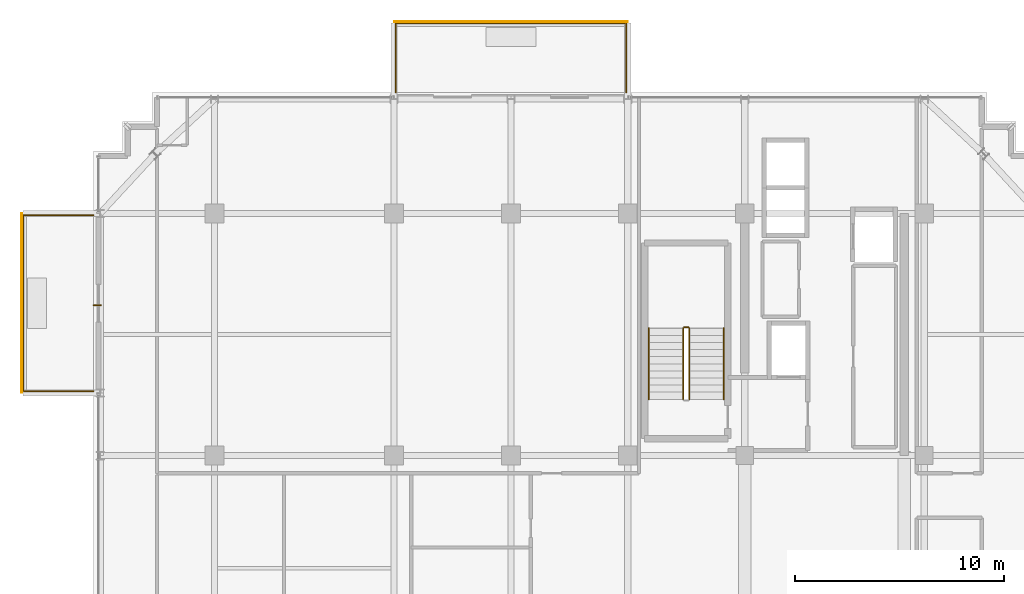
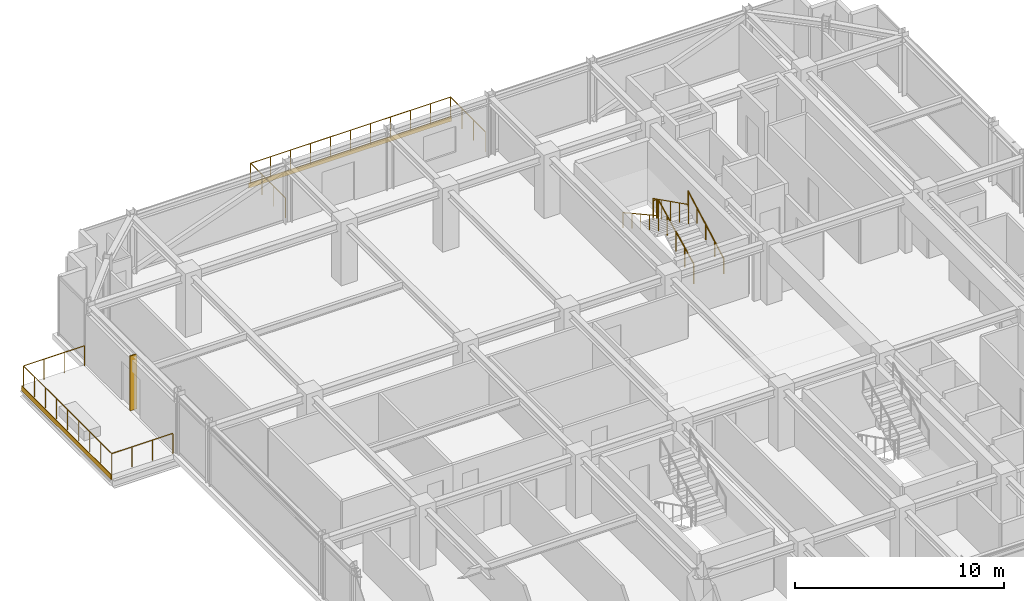
# One storey, part 35 of 36: 7 railings, 2 coverings, 1 shading device.
"""IFC4 building model written with IfcOpenShell, lengths in metres."""

import ifcopenshell
import ifcopenshell.guid

model = None  # the IFC model being written
_history = None  # IfcOwnerHistory: only IFC2X3 demands one
_inside = {}  # id of a spatial element -> (the spatial element, [elements in it])
_under = {}  # id of a project, library or spatial element -> (it, [spatial elements below it])
_declared = {}  # id of a project -> (the project, [libraries it declares])
_typed = {}  # id of a type object -> (the type object, [elements of that type])
_made_of = {}  # id of a material, layer set ... -> (it, [elements and type objects made of it])


def new_model(schema):
    """Start an empty IFC model of exactly this schema.

    Asked for "IFC4X3", IfcOpenShell would pick the latest addendum, in which some entities
    have other attributes; the version numbers below select the first issue.
    IFC2X3 requires an IfcOwnerHistory on every rooted entity: one is made here for all.
    """
    global model, _history
    if schema == "IFC4X3":
        model = ifcopenshell.file(schema_version=(4, 3, 0, 0))
    else:
        model = ifcopenshell.file(schema=schema)
    _inside.clear()
    _under.clear()
    _declared.clear()
    _typed.clear()
    _made_of.clear()
    _history = None
    if model.schema == "IFC2X3":
        org = make("IfcOrganization", Name="unknown")
        user = make(
            "IfcPersonAndOrganization",
            ThePerson=make("IfcPerson", FamilyName="unknown"),
            TheOrganization=org,
        )
        app = make(
            "IfcApplication",
            ApplicationDeveloper=org,
            Version="unknown",
            ApplicationFullName="unknown",
            ApplicationIdentifier="unknown",
        )
        _history = make(
            "IfcOwnerHistory",
            OwningUser=user,
            OwningApplication=app,
            ChangeAction="ADDED",
            CreationDate=0,
        )
    return model


def make(cls, **values):
    """One entity of the class cls with the attributes given. An attribute that is None is left unset."""
    return model.create_entity(
        cls, **{name: value for name, value in values.items() if value is not None}
    )


def rooted(cls, **values):
    """An entity with a GlobalId (a new one), such as an element, a storey or a relation."""
    return make(cls, GlobalId=ifcopenshell.guid.new(), OwnerHistory=_history, **values)


def si_unit(unit_type, name, prefix=None):
    """IfcSIUnit, for example si_unit("LENGTHUNIT", "METRE", prefix="MILLI")."""
    return make("IfcSIUnit", UnitType=unit_type, Prefix=prefix, Name=name)


def assignment(units):
    """IfcUnitAssignment: the units of a project."""
    return None if units is None else make("IfcUnitAssignment", Units=units)


def point(xyz):
    """IfcCartesianPoint."""
    return None if xyz is None else make("IfcCartesianPoint", Coordinates=xyz)


def direction(xyz):
    """IfcDirection."""
    return None if xyz is None else make("IfcDirection", DirectionRatios=xyz)


def frame(location, z_axis=None, x_axis=None):
    """IfcAxis2Placement3D, a coordinate frame: its origin and axes. An axis left out is left unset."""
    return make(
        "IfcAxis2Placement3D",
        Location=point(location),
        Axis=direction(z_axis),
        RefDirection=direction(x_axis),
    )


def frame_2d(location, x_axis=None):
    """IfcAxis2Placement2D, a coordinate frame in the plane: its origin and x axis."""
    return make(
        "IfcAxis2Placement2D", Location=point(location), RefDirection=direction(x_axis)
    )


def origin():
    """The frame at (0, 0, 0) with its axes left unset."""
    return frame((0.0, 0.0, 0.0))


def origin_2d():
    """The frame at (0, 0) in the plane with its x axis left unset."""
    return frame_2d((0.0, 0.0))


def place(relative_to, where):
    """IfcLocalPlacement: puts the frame where relative to a parent placement (None: the world)."""
    return make(
        "IfcLocalPlacement", PlacementRelTo=relative_to, RelativePlacement=where
    )


def context(
    kind, dimensions, precision=None, world=None, true_north=None, identifier=None
):
    """IfcGeometricRepresentationContext, for example the 3D "Model" context."""
    return make(
        "IfcGeometricRepresentationContext",
        ContextIdentifier=identifier,
        ContextType=kind,
        CoordinateSpaceDimension=dimensions,
        Precision=precision,
        WorldCoordinateSystem=world,
        TrueNorth=true_north,
    )


def subcontext(parent, identifier, kind, view, scale=None):
    """IfcGeometricRepresentationSubContext, for example "Body" below "Model"."""
    return make(
        "IfcGeometricRepresentationSubContext",
        ContextIdentifier=identifier,
        ContextType=kind,
        ParentContext=parent,
        TargetScale=scale,
        TargetView=view,
    )


def project(units=None, contexts=None):
    """IfcProject with its units and contexts."""
    return rooted(
        "IfcProject",
        Name="project",
        RepresentationContexts=contexts,
        UnitsInContext=assignment(units),
    )


def spatial(cls, under=None, at=None, **own):
    """A site, building, storey or space (cls), placed at a placement, below another one or the project."""
    s = rooted(cls, ObjectPlacement=at, **own)
    if under is not None:
        _under.setdefault(under.id(), (under, []))[1].append(s)
    return s


def profile(cls, at=None, kind="AREA", **sizes):
    """A parametric profile (cls). Its sizes go by their IFC names, for example OverallWidth=200.0."""
    return make(cls, ProfileType=kind, Position=at, **sizes)


def rectangle(**sizes):
    """IfcRectangleProfileDef."""
    return profile("IfcRectangleProfileDef", **sizes)


def circle(**sizes):
    """IfcCircleProfileDef."""
    return profile("IfcCircleProfileDef", **sizes)


def extrude(swept, where, along, depth):
    """IfcExtrudedAreaSolid: the profile swept, set in the frame where, extruded along a direction by depth."""
    return make(
        "IfcExtrudedAreaSolid",
        SweptArea=swept,
        Position=where,
        ExtrudedDirection=direction(along),
        Depth=depth,
    )


def shape(context_of_items, identifier, shape_type, items):
    """IfcShapeRepresentation: the items that make up one representation, for example the "Body"."""
    return make(
        "IfcShapeRepresentation",
        ContextOfItems=context_of_items,
        RepresentationIdentifier=identifier,
        RepresentationType=shape_type,
        Items=items,
    )


def source(mapping_origin, context_of_items, identifier, shape_type, items):
    """IfcRepresentationMap: a shape defined once, which mapped items show again and again."""
    return make(
        "IfcRepresentationMap",
        MappingOrigin=mapping_origin,
        MappedRepresentation=shape(context_of_items, identifier, shape_type, items),
    )


def transform(
    local_origin,
    x_axis=None,
    y_axis=None,
    z_axis=None,
    scale=None,
    scale2=None,
    scale3=None,
    uniform=True,
):
    """IfcCartesianTransformationOperator3D, or its non-uniform kind. x_axis, y_axis, z_axis: its Axis1, 2, 3."""
    if uniform:
        return make(
            "IfcCartesianTransformationOperator3D",
            Axis1=direction(x_axis),
            Axis2=direction(y_axis),
            LocalOrigin=point(local_origin),
            Scale=scale,
            Axis3=direction(z_axis),
        )
    return make(
        "IfcCartesianTransformationOperator3DnonUniform",
        Axis1=direction(x_axis),
        Axis2=direction(y_axis),
        LocalOrigin=point(local_origin),
        Scale=scale,
        Axis3=direction(z_axis),
        Scale2=scale2,
        Scale3=scale3,
    )


def mapped(mapping_source, mapping_target):
    """IfcMappedItem: shows the shape of a source again, moved by a transform."""
    return make(
        "IfcMappedItem", MappingSource=mapping_source, MappingTarget=mapping_target
    )


def material(Name=None, Category=None):
    """IfcMaterial."""
    return make("IfcMaterial", Name=Name, Category=Category)


def layer(
    of_material, thickness, ventilated=None, Name=None, Category=None, Priority=None
):
    """IfcMaterialLayer: one layer of a wall or slab, of a material (None: an air gap)."""
    return make(
        "IfcMaterialLayer",
        Material=of_material,
        LayerThickness=thickness,
        IsVentilated=ventilated,
        Name=Name,
        Category=Category,
        Priority=Priority,
    )


def layer_set(layers, Name=None):
    """IfcMaterialLayerSet."""
    return make("IfcMaterialLayerSet", MaterialLayers=layers, LayerSetName=Name)


def made_of(thing, what):
    """Note that an element or type object is made of a material, layer set ...; save() writes the relation."""
    if what is not None:
        _made_of.setdefault(what.id(), (what, []))[1].append(thing)
    return thing


def type_object(cls, material=None, **own):
    """A type object (cls), such as IfcWallType, which elements share."""
    return made_of(rooted(cls, **own), material)


def element(
    cls,
    number,
    at=None,
    inside=None,
    cuts=None,
    type_object=None,
    material=None,
    context=None,
    identifier="Body",
    shape_type=None,
    held_by="IfcProductDefinitionShape",
    body=None,
    shapes=None,
    **own,
):
    """One element of the class cls, such as IfcWall. Its Tag is "e" and its number.

    at: its placement. inside: the storey or other place that contains it. cuts: it is an
    opening in that element (IfcRelVoidsElement). A single representation is given by context,
    identifier, shape_type and body (its items); several are given by shapes. held_by: the class
    of the entity that holds the representations. save() writes the other relations.
    """
    e = rooted(cls, Tag="e%d" % number, ObjectPlacement=at, **own)
    if body is not None:
        shapes = [shape(context, identifier, shape_type, body)]
    if shapes is not None:
        e.Representation = make(held_by, Representations=shapes)
    if inside is not None:
        _inside.setdefault(inside.id(), (inside, []))[1].append(e)
    if cuts is not None:
        rooted(
            "IfcRelVoidsElement", RelatingBuildingElement=cuts, RelatedOpeningElement=e
        )
    if type_object is not None:
        _typed.setdefault(type_object.id(), (type_object, []))[1].append(e)
    return made_of(e, material)


def aggregate(whole, parts):
    """IfcRelAggregates: a whole, such as a stair, and the parts it consists of."""
    return rooted("IfcRelAggregates", RelatingObject=whole, RelatedObjects=parts)


def save(model, path):
    """Write the relations noted so far, then the file.

    IfcRelAggregates (storeys below a building ...), IfcRelContainedInSpatialStructure (elements
    in a storey), IfcRelDefinesByType, IfcRelAssociatesMaterial and IfcRelDeclares: one each for
    every whole, place, type object, material and project.
    """
    for whole, parts in _under.values():
        aggregate(whole, parts)
    for where, things in _inside.values():
        rooted(
            "IfcRelContainedInSpatialStructure",
            RelatedElements=things,
            RelatingStructure=where,
        )
    for kind, things in _typed.values():
        rooted("IfcRelDefinesByType", RelatedObjects=things, RelatingType=kind)
    for what, things in _made_of.values():
        rooted("IfcRelAssociatesMaterial", RelatedObjects=things, RelatingMaterial=what)
    for by, libraries in _declared.values():
        rooted("IfcRelDeclares", RelatingContext=by, RelatedDefinitions=libraries)
    model.write(path)


model = new_model("IFC4")

# Units and contexts
model_context = context("Model", 3, precision=1e-05, world=origin(), true_north=direction((0.0, 1.0)))
body_context = subcontext(model_context, "Body", "Model", "MODEL_VIEW")
ifc_project = project(units=[si_unit("LENGTHUNIT", "METRE"), si_unit("AREAUNIT", "SQUARE_METRE"), si_unit("VOLUMEUNIT", "CUBIC_METRE"), si_unit("PLANEANGLEUNIT", "RADIAN"), si_unit("MASSUNIT", "GRAM", prefix="KILO")], contexts=[model_context])

# Site, building, storey
site_placement = place(None, origin())
site = spatial("IfcSite", under=ifc_project, at=site_placement, CompositionType="ELEMENT")
building_placement = place(site_placement, origin())
building = spatial("IfcBuilding", under=site, at=building_placement, Name="Nahalor Promenade Grand Hotel", CompositionType="ELEMENT")
storey_placement = place(building_placement, frame((0.0, 0.0, 273.800048828125)))
storey = spatial("IfcBuildingStorey", under=building, at=storey_placement, Name="L70", CompositionType="ELEMENT", Elevation=273.800048828125)

# Railings
ifc_material_1 = material(Name="Anodised Bronze Aluminium EN AW-6063 T6", Category="aluminium")
railing_type_1 = type_object("IfcRailingType", Name="Bronze Balcony Guardrail 1200 mm", PredefinedType="GUARDRAIL", material=ifc_material_1)
railing_1_placement = place(storey_placement, frame((-8.320068359375, 22.800048828125, 0.0)))
element("IfcRailing", 1, at=railing_1_placement, inside=storey, type_object=railing_type_1, Name="L70 Balcony Guardrail 1", PredefinedType="GUARDRAIL", context=body_context, shape_type="SweptSolid", body=[
    extrude(circle(Radius=0.024048, at=origin_2d()), frame((0.0, 0.0, 1.17578125), z_axis=(0.0, 1.0, 0.0), x_axis=(-1.0, 0.0, 0.0)), (0.0, 0.0, 1.0), 3.318115234375),
    extrude(circle(Radius=0.024048, at=origin_2d()), frame((0.001953125, 3.320068359375, 1.17578125), z_axis=(1.0, 0.0, 0.0), x_axis=(0.0, 1.0, 0.0)), (0.0, 0.0, 1.0), 11.0361328125),
    extrude(circle(Radius=0.024048, at=origin_2d()), frame((11.0400390625, 3.318115234375, 1.17578125), z_axis=(0.0, -1.0, 0.0), x_axis=(1.0, 0.0, 0.0)), (0.0, 0.0, 1.0), 3.318115234375),
    extrude(circle(Radius=0.020996, at=origin_2d()), origin(), (0.0, 0.0, 1.0), 1.14990234375),
    extrude(circle(Radius=0.020996, at=origin_2d()), frame((0.0, 1.106689453125, 0.0)), (0.0, 0.0, 1.0), 1.14990234375),
    extrude(circle(Radius=0.020996, at=origin_2d()), frame((0.0, 2.21337890625, 0.0)), (0.0, 0.0, 1.0), 1.14990234375),
    extrude(circle(Radius=0.020996, at=origin_2d()), frame((0.0, 3.320068359375, 0.0)), (0.0, 0.0, 1.0), 1.14990234375),
    extrude(circle(Radius=0.020996, at=origin_2d()), frame((1.10400390625, 3.320068359375, 0.0)), (0.0, 0.0, 1.0), 1.14990234375),
    extrude(circle(Radius=0.020996, at=origin_2d()), frame((2.2080078125, 3.320068359375, 0.0)), (0.0, 0.0, 1.0), 1.14990234375),
    extrude(circle(Radius=0.020996, at=origin_2d()), frame((3.31201171875, 3.320068359375, 0.0)), (0.0, 0.0, 1.0), 1.14990234375),
    extrude(circle(Radius=0.020996, at=origin_2d()), frame((4.416015625, 3.320068359375, 0.0)), (0.0, 0.0, 1.0), 1.14990234375),
    extrude(circle(Radius=0.020996, at=origin_2d()), frame((5.52001953125, 3.320068359375, 0.0)), (0.0, 0.0, 1.0), 1.14990234375),
    extrude(circle(Radius=0.020996, at=origin_2d()), frame((6.6240234375, 3.320068359375, 0.0)), (0.0, 0.0, 1.0), 1.14990234375),
    extrude(circle(Radius=0.020996, at=origin_2d()), frame((7.72802734375, 3.320068359375, 0.0)), (0.0, 0.0, 1.0), 1.14990234375),
    extrude(circle(Radius=0.020996, at=origin_2d()), frame((8.83203125, 3.320068359375, 0.0)), (0.0, 0.0, 1.0), 1.14990234375),
    extrude(circle(Radius=0.020996, at=origin_2d()), frame((9.93603515625, 3.320068359375, 0.0)), (0.0, 0.0, 1.0), 1.14990234375),
    extrude(circle(Radius=0.020996, at=origin_2d()), frame((11.0400390625, 3.320068359375, 0.0)), (0.0, 0.0, 1.0), 1.14990234375),
    extrude(circle(Radius=0.020996, at=origin_2d()), frame((11.0400390625, 2.21337890625, 0.0)), (0.0, 0.0, 1.0), 1.14990234375),
    extrude(circle(Radius=0.020996, at=origin_2d()), frame((11.0400390625, 1.106689453125, 0.0)), (0.0, 0.0, 1.0), 1.14990234375),
    extrude(circle(Radius=0.020996, at=origin_2d()), frame((11.0400390625, 0.0, 0.0)), (0.0, 0.0, 1.0), 1.14990234375),
])
railing_2_placement = place(storey_placement, frame((-22.800048828125, 8.47998046875, 0.0)))
element("IfcRailing", 2, at=railing_2_placement, inside=storey, type_object=railing_type_1, Name="L70 Balcony Guardrail 2", PredefinedType="GUARDRAIL", context=body_context, shape_type="SweptSolid", body=[
    extrude(circle(Radius=0.024048, at=origin_2d()), frame((0.0, 0.0, 1.17578125), z_axis=(-1.0, 0.0, 0.0), x_axis=(0.0, -1.0, 0.0)), (0.0, 0.0, 1.0), 3.367919921875),
    extrude(circle(Radius=0.024048, at=origin_2d()), frame((-3.369873046875, 0.001953125, 1.17578125), z_axis=(0.0, 1.0, 0.0), x_axis=(-1.0, 0.0, 0.0)), (0.0, 0.0, 1.0), 8.43603515625),
    extrude(circle(Radius=0.024048, at=origin_2d()), frame((-3.367919921875, 8.43994140625, 1.17578125), z_axis=(1.0, 0.0, 0.0), x_axis=(0.0, 1.0, 0.0)), (0.0, 0.0, 1.0), 3.367919921875),
    extrude(circle(Radius=0.020996, at=origin_2d()), origin(), (0.0, 0.0, 1.0), 1.14990234375),
    extrude(circle(Radius=0.020996, at=origin_2d()), frame((-1.123291015625, 0.0, 0.0)), (0.0, 0.0, 1.0), 1.14990234375),
    extrude(circle(Radius=0.020996, at=origin_2d()), frame((-2.24658203125, 0.0, 0.0)), (0.0, 0.0, 1.0), 1.14990234375),
    extrude(circle(Radius=0.020996, at=origin_2d()), frame((-3.369873046875, 0.0, 0.0)), (0.0, 0.0, 1.0), 1.14990234375),
    extrude(circle(Radius=0.020996, at=origin_2d()), frame((-3.369873046875, 1.054931640625, 0.0)), (0.0, 0.0, 1.0), 1.14990234375),
    extrude(circle(Radius=0.020996, at=origin_2d()), frame((-3.369873046875, 2.10986328125, 0.0)), (0.0, 0.0, 1.0), 1.14990234375),
    extrude(circle(Radius=0.020996, at=origin_2d()), frame((-3.369873046875, 3.1650390625, 0.0)), (0.0, 0.0, 1.0), 1.14990234375),
    extrude(circle(Radius=0.020996, at=origin_2d()), frame((-3.369873046875, 4.219970703125, 0.0)), (0.0, 0.0, 1.0), 1.14990234375),
    extrude(circle(Radius=0.020996, at=origin_2d()), frame((-3.369873046875, 5.27490234375, 0.0)), (0.0, 0.0, 1.0), 1.14990234375),
    extrude(circle(Radius=0.020996, at=origin_2d()), frame((-3.369873046875, 6.330078125, 0.0)), (0.0, 0.0, 1.0), 1.14990234375),
    extrude(circle(Radius=0.020996, at=origin_2d()), frame((-3.369873046875, 7.385009765625, 0.0)), (0.0, 0.0, 1.0), 1.14990234375),
    extrude(circle(Radius=0.020996, at=origin_2d()), frame((-3.369873046875, 8.43994140625, 0.0)), (0.0, 0.0, 1.0), 1.14990234375),
    extrude(circle(Radius=0.020996, at=origin_2d()), frame((-2.24658203125, 8.43994140625, 0.0)), (0.0, 0.0, 1.0), 1.14990234375),
    extrude(circle(Radius=0.020996, at=origin_2d()), frame((-1.123291015625, 8.43994140625, 0.0)), (0.0, 0.0, 1.0), 1.14990234375),
    extrude(circle(Radius=0.020996, at=origin_2d()), frame((0.0, 8.43994140625, 0.0)), (0.0, 0.0, 1.0), 1.14990234375),
])
ifc_material_2 = material(Name="Steel S355JR", Category="steel")
railing_type_2 = type_object("IfcRailingType", Name="Steel Stair Guardrail 1150 mm", PredefinedType="GUARDRAIL", material=ifc_material_2)
railing_3_placement = place(storey_placement, frame((5.75, 8.10009765625, 0.17041015625)))
element("IfcRailing", 3, at=railing_3_placement, inside=storey, type_object=railing_type_2, Name="L70 ST1 stair guard 1", PredefinedType="GUARDRAIL", context=body_context, shape_type="SweptSolid", body=[
    extrude(circle(Radius=0.024048, at=origin_2d()), frame((0.0, 0.0, 1.1259765625), z_axis=(0.0, 0.89393879905, 0.448189048899), x_axis=(-1.0, 0.0, 0.0)), (0.0, 0.0, 1.0), 3.80322265625),
    extrude(circle(Radius=0.020996, at=origin_2d()), origin(), (0.0, 0.0, 1.0), 1.099853515625),
    extrude(circle(Radius=0.020996, at=origin_2d()), frame((0.0, 0.85009765625, 0.42626953125)), (0.0, 0.0, 1.0), 1.099853515625),
    extrude(circle(Radius=0.020996, at=origin_2d()), frame((0.0, 1.699951171875, 0.852294921875)), (0.0, 0.0, 1.0), 1.099853515625),
    extrude(circle(Radius=0.020996, at=origin_2d()), frame((0.0, 2.5498046875, 1.2783203125)), (0.0, 0.0, 1.0), 1.099853515625),
    extrude(circle(Radius=0.020996, at=origin_2d()), frame((0.0, 3.39990234375, 1.70458984375)), (0.0, 0.0, 1.0), 1.099853515625),
])
railing_4_placement = place(storey_placement, frame((5.699951171875, 11.550048828125, 1.875)))
element("IfcRailing", 4, at=railing_4_placement, inside=storey, type_object=railing_type_2, Name="L70 ST1 stair guard 2", PredefinedType="GUARDRAIL", context=body_context, shape_type="SweptSolid", body=[
    extrude(circle(Radius=0.024048, at=origin_2d()), frame((0.0, 0.0, 1.1259765625), z_axis=(-1.0, 0.0, 0.0), x_axis=(0.0, -1.0, 0.0)), (0.0, 0.0, 1.0), 0.199951171875),
    extrude(circle(Radius=0.020996, at=origin_2d()), origin(), (0.0, 0.0, 1.0), 1.099853515625),
    extrude(circle(Radius=0.020996, at=origin_2d()), frame((-0.199951171875, 0.0, 0.0)), (0.0, 0.0, 1.0), 1.099853515625),
])
railing_5_placement = place(storey_placement, frame((5.449951171875, 11.5, 2.04541015625)))
element("IfcRailing", 5, at=railing_5_placement, inside=storey, type_object=railing_type_2, Name="L70 ST1 stair guard 3", PredefinedType="GUARDRAIL", context=body_context, shape_type="SweptSolid", body=[
    extrude(circle(Radius=0.024048, at=origin_2d()), frame((0.0, 0.0, 1.1259765625), z_axis=(0.0, -0.89393879905, 0.448189048899), x_axis=(1.0, 0.0, 0.0)), (0.0, 0.0, 1.0), 3.80322265625),
    extrude(circle(Radius=0.020996, at=origin_2d()), origin(), (0.0, 0.0, 1.0), 1.099853515625),
    extrude(circle(Radius=0.020996, at=origin_2d()), frame((0.0, -0.85009765625, 0.42626953125)), (0.0, 0.0, 1.0), 1.099853515625),
    extrude(circle(Radius=0.020996, at=origin_2d()), frame((0.0, -1.699951171875, 0.852294921875)), (0.0, 0.0, 1.0), 1.099853515625),
    extrude(circle(Radius=0.020996, at=origin_2d()), frame((0.0, -2.5498046875, 1.2783203125)), (0.0, 0.0, 1.0), 1.099853515625),
    extrude(circle(Radius=0.020996, at=origin_2d()), frame((0.0, -3.39990234375, 1.70458984375)), (0.0, 0.0, 1.0), 1.099853515625),
])
railing_type_3 = type_object("IfcRailingType", Name="Steel Stair Handrail 900 mm", PredefinedType="HANDRAIL", material=ifc_material_2)
railing_6_placement = place(storey_placement, frame((7.39990234375, 8.10009765625, 0.17041015625)))
element("IfcRailing", 6, at=railing_6_placement, inside=storey, type_object=railing_type_3, Name="L70 ST1 stair handrail 1", PredefinedType="HANDRAIL", context=body_context, shape_type="SweptSolid", body=[
    extrude(circle(Radius=0.024048, at=origin_2d()), frame((0.0, 0.0, 0.8759765625), z_axis=(0.0, 0.875665712831, 0.482917756322), x_axis=(-1.0, 0.0, 0.0)), (0.0, 0.0, 1.0), 3.882568359375),
    extrude(circle(Radius=0.020996, at=origin_2d()), origin(), (0.0, 0.0, 1.0), 0.849853515625),
    extrude(circle(Radius=0.020996, at=origin_2d()), frame((0.0, 0.85009765625, 0.46875)), (0.0, 0.0, 1.0), 0.849853515625),
    extrude(circle(Radius=0.020996, at=origin_2d()), frame((0.0, 1.699951171875, 0.9375)), (0.0, 0.0, 1.0), 0.849853515625),
    extrude(circle(Radius=0.020996, at=origin_2d()), frame((0.0, 2.5498046875, 1.40625)), (0.0, 0.0, 1.0), 0.849853515625),
    extrude(circle(Radius=0.020996, at=origin_2d()), frame((0.0, 3.39990234375, 1.875)), (0.0, 0.0, 1.0), 0.849853515625),
])
railing_7_placement = place(storey_placement, frame((3.800048828125, 11.5, 2.04541015625)))
element("IfcRailing", 7, at=railing_7_placement, inside=storey, type_object=railing_type_3, Name="L70 ST1 stair handrail 2", PredefinedType="HANDRAIL", context=body_context, shape_type="SweptSolid", body=[
    extrude(circle(Radius=0.024048, at=origin_2d()), frame((0.0, 0.0, 0.8759765625), z_axis=(0.0, -0.875665712831, 0.482917756322), x_axis=(1.0, 0.0, 0.0)), (0.0, 0.0, 1.0), 3.882568359375),
    extrude(circle(Radius=0.020996, at=origin_2d()), origin(), (0.0, 0.0, 1.0), 0.849853515625),
    extrude(circle(Radius=0.020996, at=origin_2d()), frame((0.0, -0.85009765625, 0.46875)), (0.0, 0.0, 1.0), 0.849853515625),
    extrude(circle(Radius=0.020996, at=origin_2d()), frame((0.0, -1.699951171875, 0.9375)), (0.0, 0.0, 1.0), 0.849853515625),
    extrude(circle(Radius=0.020996, at=origin_2d()), frame((0.0, -2.5498046875, 1.40625)), (0.0, 0.0, 1.0), 0.849853515625),
    extrude(circle(Radius=0.020996, at=origin_2d()), frame((0.0, -3.39990234375, 1.875)), (0.0, 0.0, 1.0), 0.849853515625),
])

# Shading device
ifc_layer_1 = layer(ifc_material_1, 0.06005859375)
ifc_layer_set_1 = layer_set([ifc_layer_1], Name="Anodised Bronze Aluminium EN AW-6063 T6")
shading_device_type = type_object("IfcShadingDeviceType", Name="Shade-SolarFin-Bronze", PredefinedType="JALOUSIE", material=ifc_layer_set_1)
shared_shape_1 = source(origin(), body_context, "Body", "SweptSolid", [
    extrude(rectangle(XDim=0.3798828125, YDim=0.06005859375, at=origin_2d()), origin(), (0.0, 0.0, 1.0), 3.199951171875),
])
shading_device_placement = place(storey_placement, frame((-22.610107421875, 12.60009765625, 0.0), z_axis=(0.0, 0.0, 1.0), x_axis=(1.0, 0.0, 0.0)))
element("IfcShadingDevice", 8, at=shading_device_placement, inside=storey, type_object=shading_device_type, Name="JAL-L70-W2", PredefinedType="JALOUSIE", context=body_context, shape_type="MappedRepresentation", body=[
    mapped(shared_shape_1, transform((0.0, 0.0, 0.0), scale=1.0)),
])

# Coverings
ifc_layer_2 = layer(ifc_material_1, 0.0400390625)
ifc_layer_set_2 = layer_set([ifc_layer_2], Name="Anodised Bronze Aluminium EN AW-6063 T6")
covering_type = type_object("IfcCoveringType", Name="Bronze Spandrel Cladding Panel", PredefinedType="CLADDING", material=ifc_layer_set_2)
shared_shape_2 = source(origin(), body_context, "Body", "SweptSolid", [
    extrude(rectangle(XDim=11.199951171875, YDim=0.0400390625, at=origin_2d()), origin(), (0.0, 0.0, 1.0), 0.280029296875),
])
covering_1_placement = place(storey_placement, frame((-2.800048828125, 26.179931640625, -0.2802734375), z_axis=(0.0, 0.0, 1.0), x_axis=(1.0, 0.0, 0.0)))
element("IfcCovering", 9, at=covering_1_placement, inside=storey, type_object=covering_type, Name="CL-L70-BALC-01", PredefinedType="CLADDING", context=body_context, shape_type="MappedRepresentation", body=[
    mapped(shared_shape_2, transform((0.0, 0.0, 0.0), scale=1.0)),
])
shared_shape_3 = source(origin(), body_context, "Body", "SweptSolid", [
    extrude(rectangle(XDim=8.60009765625, YDim=0.0400390625, at=origin_2d()), origin(), (0.0, 0.0, 1.0), 0.280029296875),
])
covering_2_placement = place(storey_placement, frame((-26.22998046875, 12.699951171875, -0.2802734375), z_axis=(0.0, 0.0, 1.0), x_axis=(0.0, 1.0, 0.0)))
element("IfcCovering", 10, at=covering_2_placement, inside=storey, type_object=covering_type, Name="CL-L70-BALC-02", PredefinedType="CLADDING", context=body_context, shape_type="MappedRepresentation", body=[
    mapped(shared_shape_3, transform((0.0, 0.0, 0.0), scale=1.0)),
])

save(model, "model.ifc")
